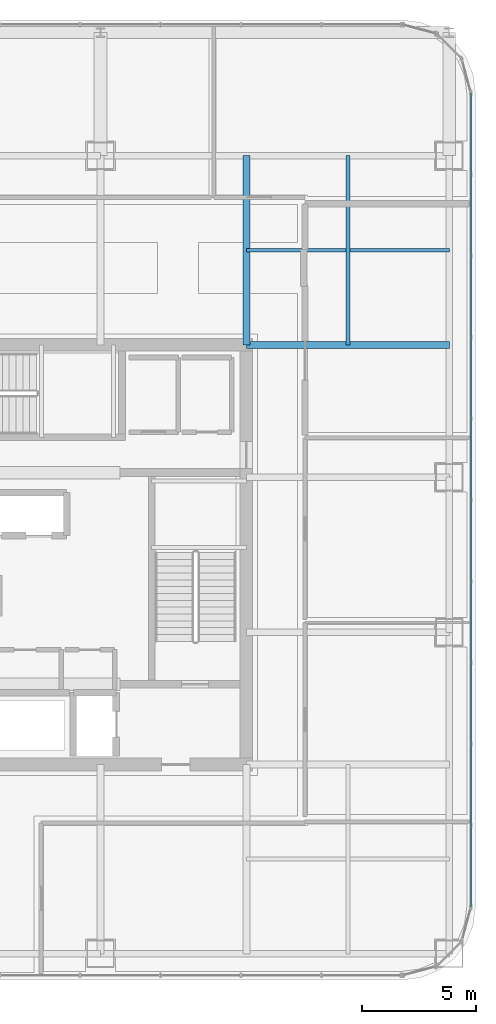
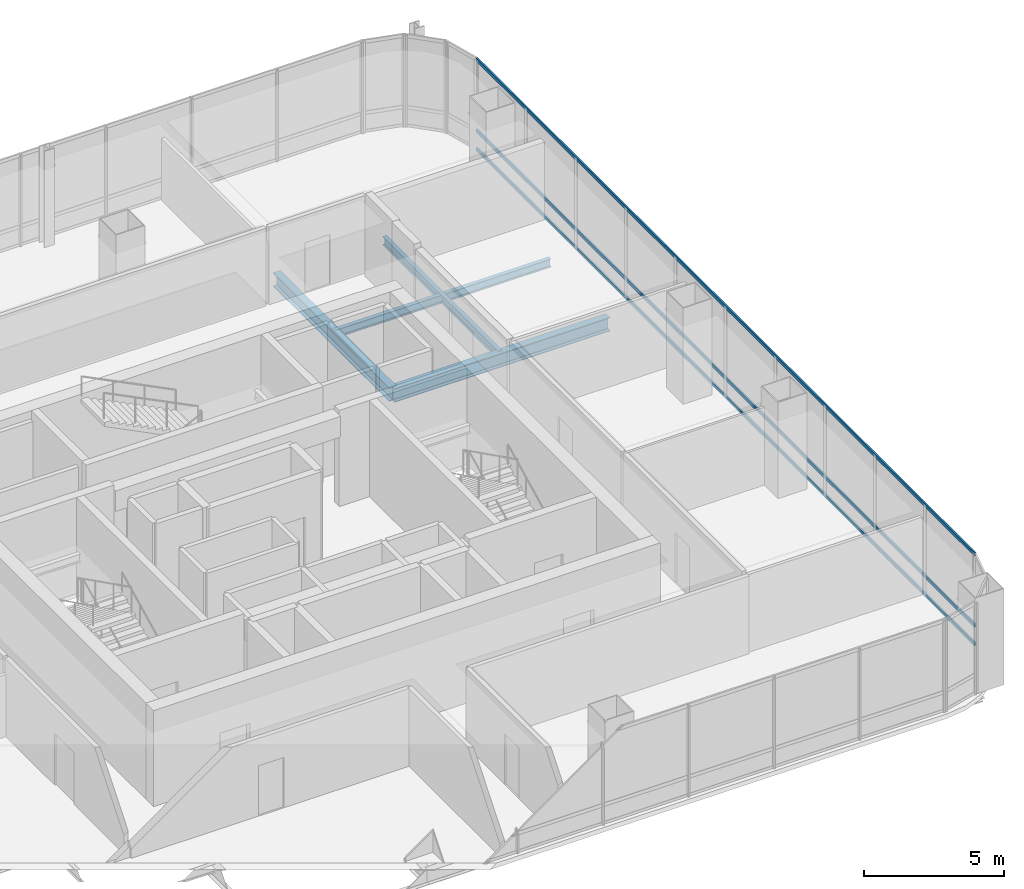
# One storey, part 19 of 41: 4 beams, 3 members, 1 element without a shape of its own.
"""IFC4 building model written with IfcOpenShell, lengths in metres."""

from ifc_helpers import new_model, si_unit, direction, frame, origin, origin_2d, place, context, subcontext, project, spatial, hollow_rectangle, i_section, extrude, material, material_profile, profile_set, type_object, element, aggregate, save


model = new_model("IFC4")

# Units and contexts
model_context = context("Model", 3, precision=1e-05, world=origin(), true_north=direction((0.0, 1.0)))
body_context = subcontext(model_context, "Body", "Model", "MODEL_VIEW")
ifc_project = project(units=[si_unit("LENGTHUNIT", "METRE"), si_unit("AREAUNIT", "SQUARE_METRE"), si_unit("VOLUMEUNIT", "CUBIC_METRE"), si_unit("PLANEANGLEUNIT", "RADIAN"), si_unit("MASSUNIT", "GRAM", prefix="KILO")], contexts=[model_context])

# Site, building, storey
site_placement = place(None, origin())
site = spatial("IfcSite", under=ifc_project, at=site_placement, CompositionType="ELEMENT")
building_placement = place(site_placement, origin())
building = spatial("IfcBuilding", under=site, at=building_placement, Name="Punatoya Terracotta Tower", CompositionType="ELEMENT")
storey_placement = place(building_placement, frame((0.0, 0.0, 292.199951171875)))
storey = spatial("IfcBuildingStorey", under=building, at=storey_placement, Name="L69", CompositionType="ELEMENT", Elevation=292.199951171875)

# Beams
ifc_material_1 = material(Name="Steel S355", Category="steel")
ifc_material_profile_1 = material_profile(ifc_material_1, i_section(OverallWidth=0.300048828125, OverallDepth=0.60009765625, WebThickness=0.015380859375, FlangeThickness=0.030029296875, FilletRadius=0.01806640625, at=origin_2d()))
ifc_profile_set_1 = profile_set([ifc_material_profile_1], Name="Steel S355")
beam_type_1 = type_object("IfcBeamType", Name="BM-PRI-600", PredefinedType="BEAM", material=ifc_profile_set_1)
beam_1_placement = place(storey_placement, frame((10.199951171875, 9.199951171875, -0.5), z_axis=(1.0, 0.0, 0.0), x_axis=(0.0, 1.0, 0.0)))
element("IfcBeam", 1, at=beam_1_placement, inside=storey, type_object=beam_type_1, Name="BM-L69-PR-EN", PredefinedType="BEAM", context=body_context, shape_type="SweptSolid", body=[
    extrude(i_section(OverallWidth=0.300048828125, OverallDepth=0.60009765625, WebThickness=0.015380859375, FlangeThickness=0.030029296875, FilletRadius=0.01806640625, at=origin_2d()), origin(), (0.0, 0.0, 1.0), 8.900146484375),
])
beam_2_placement = place(storey_placement, frame((10.199951171875, 9.199951171875, -0.5), z_axis=(0.0, 1.0, 0.0), x_axis=(-1.0, 0.0, 0.0)))
element("IfcBeam", 2, at=beam_2_placement, inside=storey, type_object=beam_type_1, Name="BM-L69-PR-N4", PredefinedType="BEAM", context=body_context, shape_type="SweptSolid", body=[
    extrude(i_section(OverallWidth=0.300048828125, OverallDepth=0.60009765625, WebThickness=0.015380859375, FlangeThickness=0.030029296875, FilletRadius=0.01806640625, at=origin_2d()), origin(), (0.0, 0.0, 1.0), 8.300048828125),
])
ifc_material_profile_2 = material_profile(ifc_material_1, i_section(OverallWidth=0.169921875, OverallDepth=0.360107421875, WebThickness=0.008056640625, FlangeThickness=0.0126953125, FilletRadius=0.01806640625, at=origin_2d()))
ifc_profile_set_2 = profile_set([ifc_material_profile_2], Name="Steel S355")
beam_type_2 = type_object("IfcBeamType", Name="BM-SEC-360", PredefinedType="JOIST", material=ifc_profile_set_2)
beam_3_placement = place(storey_placement, frame((10.199951171875, 13.35009765625, -0.3798828125), z_axis=(1.0, 0.0, 0.0), x_axis=(0.0, 1.0, 0.0)))
element("IfcBeam", 3, at=beam_3_placement, inside=storey, type_object=beam_type_2, Name="BM-L69-SJN-2", PredefinedType="JOIST", context=body_context, shape_type="SweptSolid", body=[
    extrude(i_section(OverallWidth=0.169921875, OverallDepth=0.360107421875, WebThickness=0.008056640625, FlangeThickness=0.0126953125, FilletRadius=0.01806640625, at=origin_2d()), origin(), (0.0, 0.0, 1.0), 8.900146484375),
])
beam_4_placement = place(storey_placement, frame((14.64990234375, 9.199951171875, -0.3798828125), z_axis=(0.0, 1.0, 0.0), x_axis=(-1.0, 0.0, 0.0)))
element("IfcBeam", 4, at=beam_4_placement, inside=storey, type_object=beam_type_2, Name="BM-L69-SJE-2", PredefinedType="JOIST", context=body_context, shape_type="SweptSolid", body=[
    extrude(i_section(OverallWidth=0.169921875, OverallDepth=0.360107421875, WebThickness=0.008056640625, FlangeThickness=0.0126953125, FilletRadius=0.01806640625, at=origin_2d()), origin(), (0.0, 0.0, 1.0), 8.300048828125),
])

# Curtain wall, members
ifc_material_2 = material(Name="Aluminium 6063-T6 + Double Low-E Glass", Category="aluminium")
curtain_wall_type = type_object("IfcCurtainWallType", Name="CW-M3", PredefinedType="NOTDEFINED", material=ifc_material_2)
curtain_wall_placement = place(storey_placement, origin())
curtain_wall = element("IfcCurtainWall", 5, at=curtain_wall_placement, inside=storey, type_object=curtain_wall_type, Name="L69 Curtain Wall CW-L69-E05-1", PredefinedType="NOTDEFINED")
ifc_material_3 = material(Name="Aluminium 6063-T6", Category="aluminium")
ifc_material_profile_3 = material_profile(ifc_material_3, hollow_rectangle(XDim=0.068115234375, YDim=0.14990234375, WallThickness=0.00390625, at=origin_2d()))
ifc_profile_set_3 = profile_set([ifc_material_profile_3], Name="Aluminium 6063-T6")
member_type = type_object("IfcMemberType", Name="CW-TRN-TYP", PredefinedType="USERDEFINED", material=ifc_profile_set_3)
member_1_placement = place(storey_placement, frame((20.050048828125, -15.43701171875, 0.0400390625), z_axis=(0.0, 1.0, 0.0), x_axis=(-1.0, 0.0, 0.0)))
member_1 = element("IfcMember", 6, at=member_1_placement, type_object=member_type, Name="CW-L69-E05-1 Transom 1", ObjectType="TRANSOM", PredefinedType="USERDEFINED", context=body_context, shape_type="SweptSolid", body=[
    extrude(hollow_rectangle(XDim=0.068115234375, YDim=0.14990234375, WallThickness=0.00390625, at=origin_2d()), origin(), (0.0, 0.0, 1.0), 35.673828125),
])
member_2_placement = place(storey_placement, frame((20.050048828125, -15.43701171875, 0.85009765625), z_axis=(0.0, 1.0, 0.0), x_axis=(-1.0, 0.0, 0.0)))
member_2 = element("IfcMember", 7, at=member_2_placement, type_object=member_type, Name="CW-L69-E05-1 Transom 2", ObjectType="TRANSOM", PredefinedType="USERDEFINED", context=body_context, shape_type="SweptSolid", body=[
    extrude(hollow_rectangle(XDim=0.068115234375, YDim=0.14990234375, WallThickness=0.00390625, at=origin_2d()), origin(), (0.0, 0.0, 1.0), 35.673828125),
])
member_3_placement = place(storey_placement, frame((20.050048828125, -15.43701171875, 3.9599609375), z_axis=(0.0, 1.0, 0.0), x_axis=(-1.0, 0.0, 0.0)))
member_3 = element("IfcMember", 8, at=member_3_placement, type_object=member_type, Name="CW-L69-E05-1 Transom 3", ObjectType="TRANSOM", PredefinedType="USERDEFINED", context=body_context, shape_type="SweptSolid", body=[
    extrude(hollow_rectangle(XDim=0.068115234375, YDim=0.14990234375, WallThickness=0.00390625, at=origin_2d()), origin(), (0.0, 0.0, 1.0), 35.673828125),
])
aggregate(curtain_wall, [member_1, member_2, member_3])

save(model, "model.ifc")
